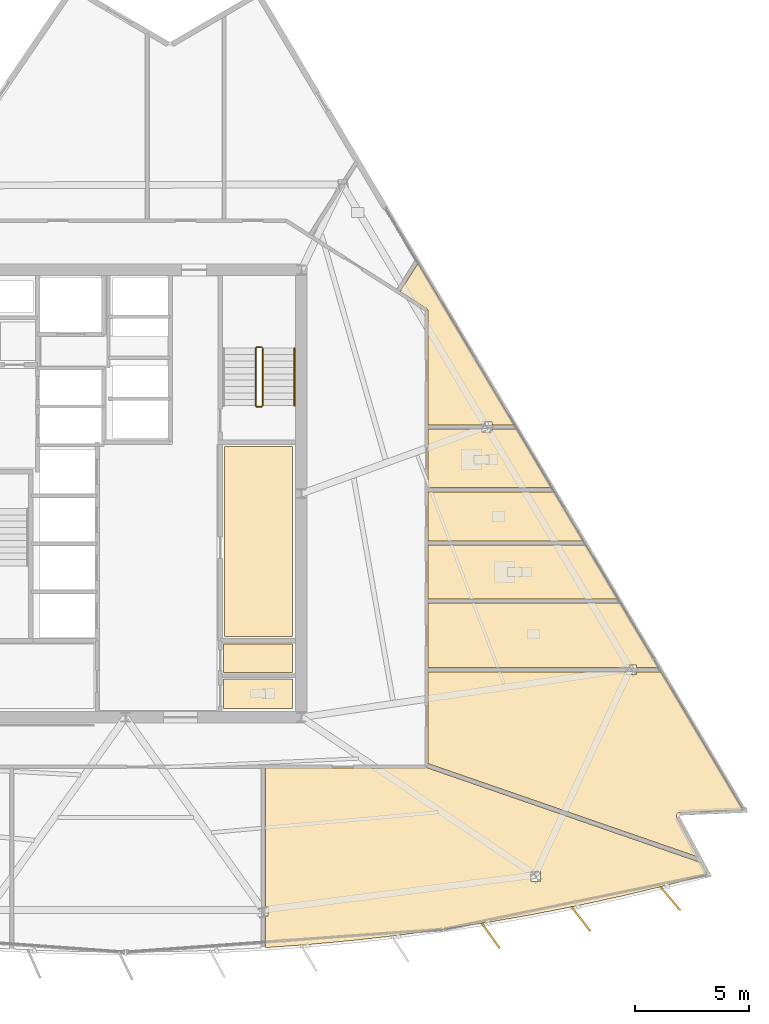
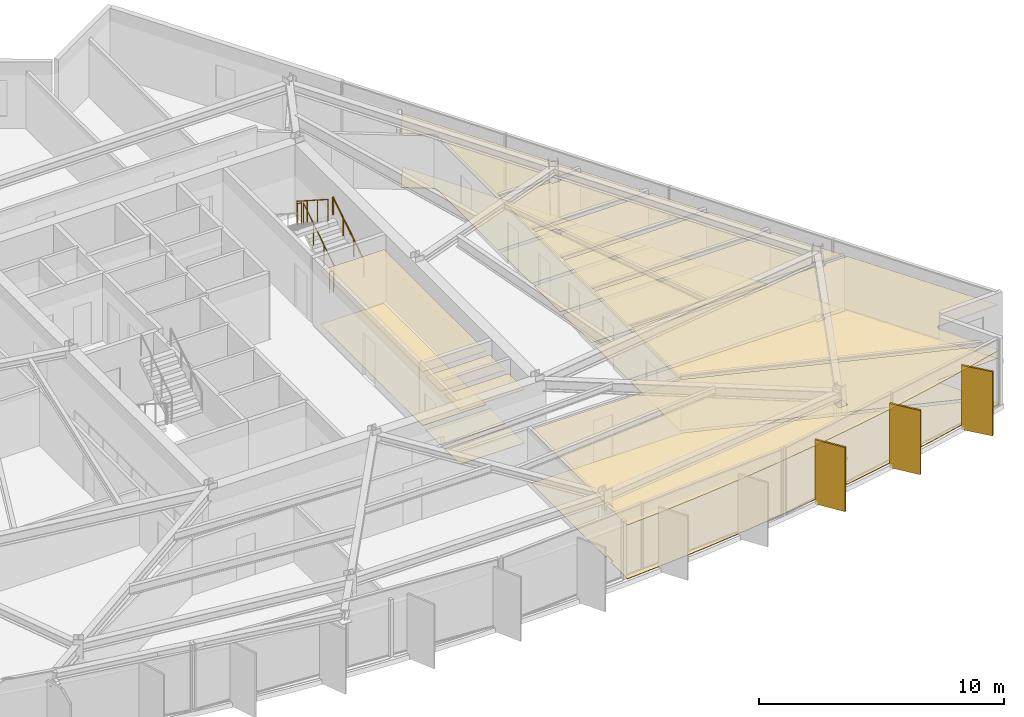
# One storey, part 13 of 15: 20 coverings, 5 railings, 3 shading devices.
"""IFC4 building model written with IfcOpenShell, lengths in metres."""

from ifc_helpers import new_model, si_unit, direction, frame, origin, origin_2d, place, context, subcontext, project, spatial, polyline, rectangle, circle, outline, extrude, material, layer, layer_set, type_object, element, save


model = new_model("IFC4")

# Units and contexts
model_context = context("Model", 3, precision=1e-05, world=origin(), true_north=direction((0.0, 1.0)))
body_context = subcontext(model_context, "Body", "Model", "MODEL_VIEW")
ifc_project = project(units=[si_unit("LENGTHUNIT", "METRE"), si_unit("AREAUNIT", "SQUARE_METRE"), si_unit("VOLUMEUNIT", "CUBIC_METRE"), si_unit("PLANEANGLEUNIT", "RADIAN"), si_unit("MASSUNIT", "GRAM", prefix="KILO")], contexts=[model_context])

# Site, building, storey
site_placement = place(None, origin())
site = spatial("IfcSite", under=ifc_project, at=site_placement, CompositionType="ELEMENT")
building_placement = place(site_placement, origin())
building = spatial("IfcBuilding", under=site, at=building_placement, Name="Savorim Split Tower", CompositionType="ELEMENT")
storey_placement = place(building_placement, frame((0.0, 0.0, 145.800048828125)))
storey = spatial("IfcBuildingStorey", under=building, at=storey_placement, Name="L38", CompositionType="ELEMENT", Elevation=145.800048828125)

# Coverings
ifc_material_1 = material(Name="Mineral Fibre Acoustic Ceiling")
ifc_layer_1 = layer(ifc_material_1, 0.02490234375)
ifc_layer_set_1 = layer_set([ifc_layer_1], Name="COV-CEIL-25")
covering_type_1 = type_object("IfcCoveringType", Name="COV-CEIL-25", PredefinedType="CEILING", material=ifc_layer_set_1)
covering_1_placement = place(storey_placement, frame((0.0, 0.0, 2.669921875)))
element("IfcCovering", 1, at=covering_1_placement, inside=storey, type_object=covering_type_1, Name="L38 Shared Pantry and Linen Room Acoustic Ceiling", PredefinedType="CEILING", context=body_context, shape_type="SweptSolid", body=[
    extrude(outline(polyline([(4.330078125, 2.469970703125), (4.330078125, -5.8701171875), (7.320068359375, -5.8701171875), (7.320068359375, 2.469970703125), (4.330078125, 2.469970703125)])), origin(), (0.0, 0.0, 1.0), 0.025146484375),
])
covering_2_placement = place(storey_placement, frame((0.0, 0.0, 2.669921875)))
element("IfcCovering", 2, at=covering_2_placement, inside=storey, type_object=covering_type_1, Name="L38 Accessible WC Acoustic Ceiling", PredefinedType="CEILING", context=body_context, shape_type="SweptSolid", body=[
    extrude(outline(polyline([(4.280029296875, -7.719970703125), (4.280029296875, -9.02001953125), (7.320068359375, -9.02001953125), (7.320068359375, -7.719970703125), (4.280029296875, -7.719970703125)])), origin(), (0.0, 0.0, 1.0), 0.025146484375),
])
covering_3_placement = place(storey_placement, frame((0.0, 0.0, 2.669921875)))
element("IfcCovering", 3, at=covering_3_placement, inside=storey, type_object=covering_type_1, Name="L38 Cleaning Store Acoustic Ceiling", PredefinedType="CEILING", context=body_context, shape_type="SweptSolid", body=[
    extrude(outline(polyline([(4.280029296875, -6.179931640625), (4.280029296875, -7.43994140625), (7.320068359375, -7.43994140625), (7.320068359375, -6.179931640625), (4.280029296875, -6.179931640625)])), origin(), (0.0, 0.0, 1.0), 0.025146484375),
])
covering_4_placement = place(storey_placement, frame((0.0, 0.0, 2.669921875)))
element("IfcCovering", 4, at=covering_4_placement, inside=storey, type_object=covering_type_1, Name="L38 Co-Working Commons Acoustic Ceiling", PredefinedType="CEILING", context=body_context, shape_type="SweptSolid", body=[
    extrude(outline(polyline([(21.770263671875, -17.220947265625), (23.711181640625, -16.755615234375), (25.495849609375, -16.288818359375), (25.2158203125, -15.76708984375), (13.172119140625, -11.599609375), (13.166015625, -11.603515625), (13.153564453125, -11.609375), (13.140625, -11.614013671875), (13.127197265625, -11.6171875), (13.11376953125, -11.619384765625), (13.10009765625, -11.6201171875), (6.11767578125, -11.6201171875), (6.11767578125, -17.688232421875), (6.234619140625, -17.688232421875), (6.234619140625, -18.115234375), (6.11767578125, -18.115234375), (6.11767578125, -19.44482421875), (6.11767578125, -19.48828125), (7.974853515625, -19.35498046875), (9.962158203125, -19.17138671875), (11.945556640625, -18.947265625), (13.923828125, -18.6826171875), (15.89599609375, -18.37744140625), (17.86181640625, -18.031982421875), (19.8203125, -17.646484375), (21.770263671875, -17.220947265625)]), holes=[polyline([(18.181640625, -16.581298828125), (18.181640625, -16.154296875), (17.7578125, -16.154296875), (17.7578125, -16.581298828125), (18.181640625, -16.581298828125)])]), origin(), (0.0, 0.0, 1.0), 0.025146484375),
])
covering_5_placement = place(storey_placement, frame((0.0, 0.0, 2.669921875)))
element("IfcCovering", 5, at=covering_5_placement, inside=storey, type_object=covering_type_1, Name="L38 Maker Workshop Acoustic Ceiling", PredefinedType="CEILING", context=body_context, shape_type="SweptSolid", body=[
    extrude(outline(polyline([(24.2138671875, -13.5810546875), (24.22509765625, -13.5791015625), (24.236572265625, -13.577880859375), (27.058837890625, -13.457763671875), (23.442626953125, -7.376220703125), (23.442626953125, -7.409423828125), (22.36962890625, -7.409423828125), (22.36962890625, -7.52783203125), (21.945556640625, -7.52783203125), (21.945556640625, -7.409423828125), (13.239990234375, -7.409423828125), (13.239990234375, -11.422119140625), (25.08349609375, -15.520263671875), (24.135986328125, -13.75439453125), (24.131103515625, -13.744140625), (24.127197265625, -13.7333984375), (24.124267578125, -13.72216796875), (24.122314453125, -13.710693359375), (24.12158203125, -13.69921875), (24.1220703125, -13.6875), (24.123779296875, -13.67626953125), (24.126220703125, -13.664794921875), (24.1298828125, -13.654052734375), (24.134765625, -13.6435546875), (24.140380859375, -13.63330078125), (24.147216796875, -13.6240234375), (24.154541015625, -13.615234375), (24.162841796875, -13.607421875), (24.172119140625, -13.60009765625), (24.181640625, -13.593994140625), (24.19189453125, -13.588623046875), (24.20263671875, -13.584228515625), (24.2138671875, -13.5810546875)])), origin(), (0.0, 0.0, 1.0), 0.025146484375),
])
covering_6_placement = place(storey_placement, frame((0.0, 0.0, 2.669921875)))
element("IfcCovering", 6, at=covering_6_placement, inside=storey, type_object=covering_type_1, Name="L38 Shared Kitchen Acoustic Ceiling", PredefinedType="CEILING", context=body_context, shape_type="SweptSolid", body=[
    extrude(outline(polyline([(22.36962890625, -7.100830078125), (22.36962890625, -7.219482421875), (23.34765625, -7.219482421875), (23.349365234375, -7.219482421875), (21.6728515625, -4.39990234375), (13.239990234375, -4.39990234375), (13.239990234375, -7.219482421875), (21.945556640625, -7.219482421875), (21.945556640625, -7.100830078125), (22.36962890625, -7.100830078125)])), origin(), (0.0, 0.0, 1.0), 0.025146484375),
])
covering_7_placement = place(storey_placement, frame((0.0, 0.0, 2.669921875)))
element("IfcCovering", 7, at=covering_7_placement, inside=storey, type_object=covering_type_1, Name="L38 Shared Bathroom Acoustic Ceiling", PredefinedType="CEILING", context=body_context, shape_type="SweptSolid", body=[
    extrude(outline(polyline([(21.559814453125, -4.2099609375), (20.16162109375, -1.858642578125), (13.239990234375, -1.858642578125), (13.239990234375, -4.2099609375), (21.559814453125, -4.2099609375)])), origin(), (0.0, 0.0, 1.0), 0.025146484375),
])
covering_8_placement = place(storey_placement, frame((0.0, 0.0, 2.669921875)))
element("IfcCovering", 8, at=covering_8_placement, inside=storey, type_object=covering_type_1, Name="L38 Shared Kitchen Acoustic Ceiling", PredefinedType="CEILING", context=body_context, shape_type="SweptSolid", body=[
    extrude(outline(polyline([(20.048828125, -1.668701171875), (18.773681640625, 0.475830078125), (13.239990234375, 0.475830078125), (13.239990234375, -1.668701171875), (20.048828125, -1.668701171875)])), origin(), (0.0, 0.0, 1.0), 0.025146484375),
])
covering_9_placement = place(storey_placement, frame((0.0, 0.0, 2.669921875)))
element("IfcCovering", 9, at=covering_9_placement, inside=storey, type_object=covering_type_1, Name="L38 Shared Bathroom Acoustic Ceiling", PredefinedType="CEILING", context=body_context, shape_type="SweptSolid", body=[
    extrude(outline(polyline([(15.62255859375, 3.105712890625), (15.62255859375, 3.22412109375), (13.239990234375, 3.22412109375), (13.239990234375, 0.665771484375), (18.66064453125, 0.665771484375), (17.11962890625, 3.25732421875), (17.11962890625, 3.22412109375), (16.046630859375, 3.22412109375), (16.046630859375, 3.105712890625), (15.62255859375, 3.105712890625)])), origin(), (0.0, 0.0, 1.0), 0.025146484375),
])
covering_10_placement = place(storey_placement, frame((0.0, 0.0, 2.669921875)))
element("IfcCovering", 10, at=covering_10_placement, inside=storey, type_object=covering_type_1, Name="L38 Co-Living Bedroom Acoustic Ceiling", PredefinedType="CEILING", context=body_context, shape_type="SweptSolid", body=[
    extrude(outline(polyline([(16.046630859375, 3.53271484375), (16.046630859375, 3.414306640625), (17.024658203125, 3.414306640625), (17.0263671875, 3.414306640625), (12.81640625, 10.494384765625), (12.024658203125, 9.25), (13.175048828125, 8.51806640625), (13.1865234375, 8.510009765625), (13.197265625, 8.500732421875), (13.206787109375, 8.490478515625), (13.21533203125, 8.479248046875), (13.22265625, 8.46728515625), (13.22900390625, 8.45458984375), (13.233642578125, 8.44140625), (13.2373046875, 8.427978515625), (13.2392578125, 8.4140625), (13.239990234375, 8.39990234375), (13.239990234375, 3.414306640625), (15.62255859375, 3.414306640625), (15.62255859375, 3.53271484375), (16.046630859375, 3.53271484375)])), origin(), (0.0, 0.0, 1.0), 0.025146484375),
])
ifc_material_2 = material(Name="Porcelain Stoneware Flooring", Category="masonry")
ifc_layer_2 = layer(ifc_material_2, 0.02001953125)
ifc_layer_set_2 = layer_set([ifc_layer_2], Name="COV-FLOR-20")
covering_type_2 = type_object("IfcCoveringType", Name="COV-FLOR-20", PredefinedType="FLOORING", material=ifc_layer_set_2)
covering_11_placement = place(storey_placement, origin())
element("IfcCovering", 11, at=covering_11_placement, inside=storey, type_object=covering_type_2, Name="L38 Shared Pantry and Linen Room Porcelain Flooring", PredefinedType="FLOORING", context=body_context, shape_type="SweptSolid", body=[
    extrude(outline(polyline([(4.330078125, 2.469970703125), (4.330078125, -5.8701171875), (7.320068359375, -5.8701171875), (7.320068359375, 2.469970703125), (4.330078125, 2.469970703125)])), origin(), (0.0, 0.0, 1.0), 0.02001953125),
])
covering_12_placement = place(storey_placement, origin())
element("IfcCovering", 12, at=covering_12_placement, inside=storey, type_object=covering_type_2, Name="L38 Accessible WC Porcelain Flooring", PredefinedType="FLOORING", context=body_context, shape_type="SweptSolid", body=[
    extrude(outline(polyline([(4.280029296875, -7.719970703125), (4.280029296875, -9.02001953125), (7.320068359375, -9.02001953125), (7.320068359375, -7.719970703125), (4.280029296875, -7.719970703125)])), origin(), (0.0, 0.0, 1.0), 0.02001953125),
])
covering_13_placement = place(storey_placement, origin())
element("IfcCovering", 13, at=covering_13_placement, inside=storey, type_object=covering_type_2, Name="L38 Cleaning Store Porcelain Flooring", PredefinedType="FLOORING", context=body_context, shape_type="SweptSolid", body=[
    extrude(outline(polyline([(4.280029296875, -6.179931640625), (4.280029296875, -7.43994140625), (7.320068359375, -7.43994140625), (7.320068359375, -6.179931640625), (4.280029296875, -6.179931640625)])), origin(), (0.0, 0.0, 1.0), 0.02001953125),
])
covering_14_placement = place(storey_placement, origin())
element("IfcCovering", 14, at=covering_14_placement, inside=storey, type_object=covering_type_2, Name="L38 Co-Working Commons Porcelain Flooring", PredefinedType="FLOORING", context=body_context, shape_type="SweptSolid", body=[
    extrude(outline(polyline([(21.770263671875, -17.220947265625), (23.711181640625, -16.755615234375), (25.495849609375, -16.288818359375), (25.2158203125, -15.76708984375), (13.172119140625, -11.599609375), (13.166015625, -11.603515625), (13.153564453125, -11.609375), (13.140625, -11.614013671875), (13.127197265625, -11.6171875), (13.11376953125, -11.619384765625), (13.10009765625, -11.6201171875), (6.11767578125, -11.6201171875), (6.11767578125, -17.688232421875), (6.234619140625, -17.688232421875), (6.234619140625, -18.115234375), (6.11767578125, -18.115234375), (6.11767578125, -19.44482421875), (6.11767578125, -19.48828125), (7.974853515625, -19.35498046875), (9.962158203125, -19.17138671875), (11.945556640625, -18.947265625), (13.923828125, -18.6826171875), (15.89599609375, -18.37744140625), (17.86181640625, -18.031982421875), (19.8203125, -17.646484375), (21.770263671875, -17.220947265625)]), holes=[polyline([(18.181640625, -16.581298828125), (18.181640625, -16.154296875), (17.7578125, -16.154296875), (17.7578125, -16.581298828125), (18.181640625, -16.581298828125)])]), origin(), (0.0, 0.0, 1.0), 0.02001953125),
])
covering_15_placement = place(storey_placement, origin())
element("IfcCovering", 15, at=covering_15_placement, inside=storey, type_object=covering_type_2, Name="L38 Maker Workshop Porcelain Flooring", PredefinedType="FLOORING", context=body_context, shape_type="SweptSolid", body=[
    extrude(outline(polyline([(24.2138671875, -13.5810546875), (24.22509765625, -13.5791015625), (24.236572265625, -13.577880859375), (27.058837890625, -13.457763671875), (23.442626953125, -7.376220703125), (23.442626953125, -7.409423828125), (22.36962890625, -7.409423828125), (22.36962890625, -7.52783203125), (21.945556640625, -7.52783203125), (21.945556640625, -7.409423828125), (13.239990234375, -7.409423828125), (13.239990234375, -11.422119140625), (25.08349609375, -15.520263671875), (24.135986328125, -13.75439453125), (24.131103515625, -13.744140625), (24.127197265625, -13.7333984375), (24.124267578125, -13.72216796875), (24.122314453125, -13.710693359375), (24.12158203125, -13.69921875), (24.1220703125, -13.6875), (24.123779296875, -13.67626953125), (24.126220703125, -13.664794921875), (24.1298828125, -13.654052734375), (24.134765625, -13.6435546875), (24.140380859375, -13.63330078125), (24.147216796875, -13.6240234375), (24.154541015625, -13.615234375), (24.162841796875, -13.607421875), (24.172119140625, -13.60009765625), (24.181640625, -13.593994140625), (24.19189453125, -13.588623046875), (24.20263671875, -13.584228515625), (24.2138671875, -13.5810546875)])), origin(), (0.0, 0.0, 1.0), 0.02001953125),
])
covering_16_placement = place(storey_placement, origin())
element("IfcCovering", 16, at=covering_16_placement, inside=storey, type_object=covering_type_2, Name="L38 Shared Kitchen Porcelain Flooring", PredefinedType="FLOORING", context=body_context, shape_type="SweptSolid", body=[
    extrude(outline(polyline([(22.36962890625, -7.100830078125), (22.36962890625, -7.219482421875), (23.34765625, -7.219482421875), (23.349365234375, -7.219482421875), (21.6728515625, -4.39990234375), (13.239990234375, -4.39990234375), (13.239990234375, -7.219482421875), (21.945556640625, -7.219482421875), (21.945556640625, -7.100830078125), (22.36962890625, -7.100830078125)])), origin(), (0.0, 0.0, 1.0), 0.02001953125),
])
covering_17_placement = place(storey_placement, origin())
element("IfcCovering", 17, at=covering_17_placement, inside=storey, type_object=covering_type_2, Name="L38 Shared Bathroom Porcelain Flooring", PredefinedType="FLOORING", context=body_context, shape_type="SweptSolid", body=[
    extrude(outline(polyline([(21.559814453125, -4.2099609375), (20.16162109375, -1.858642578125), (13.239990234375, -1.858642578125), (13.239990234375, -4.2099609375), (21.559814453125, -4.2099609375)])), origin(), (0.0, 0.0, 1.0), 0.02001953125),
])
covering_18_placement = place(storey_placement, origin())
element("IfcCovering", 18, at=covering_18_placement, inside=storey, type_object=covering_type_2, Name="L38 Shared Kitchen Porcelain Flooring", PredefinedType="FLOORING", context=body_context, shape_type="SweptSolid", body=[
    extrude(outline(polyline([(20.048828125, -1.668701171875), (18.773681640625, 0.475830078125), (13.239990234375, 0.475830078125), (13.239990234375, -1.668701171875), (20.048828125, -1.668701171875)])), origin(), (0.0, 0.0, 1.0), 0.02001953125),
])
covering_19_placement = place(storey_placement, origin())
element("IfcCovering", 19, at=covering_19_placement, inside=storey, type_object=covering_type_2, Name="L38 Shared Bathroom Porcelain Flooring", PredefinedType="FLOORING", context=body_context, shape_type="SweptSolid", body=[
    extrude(outline(polyline([(15.62255859375, 3.105712890625), (15.62255859375, 3.22412109375), (13.239990234375, 3.22412109375), (13.239990234375, 0.665771484375), (18.66064453125, 0.665771484375), (17.11962890625, 3.25732421875), (17.11962890625, 3.22412109375), (16.046630859375, 3.22412109375), (16.046630859375, 3.105712890625), (15.62255859375, 3.105712890625)])), origin(), (0.0, 0.0, 1.0), 0.02001953125),
])
covering_20_placement = place(storey_placement, origin())
element("IfcCovering", 20, at=covering_20_placement, inside=storey, type_object=covering_type_2, Name="L38 Co-Living Bedroom Porcelain Flooring", PredefinedType="FLOORING", context=body_context, shape_type="SweptSolid", body=[
    extrude(outline(polyline([(16.046630859375, 3.53271484375), (16.046630859375, 3.414306640625), (17.024658203125, 3.414306640625), (17.0263671875, 3.414306640625), (12.81640625, 10.494384765625), (12.024658203125, 9.25), (13.175048828125, 8.51806640625), (13.1865234375, 8.510009765625), (13.197265625, 8.500732421875), (13.206787109375, 8.490478515625), (13.21533203125, 8.479248046875), (13.22265625, 8.46728515625), (13.22900390625, 8.45458984375), (13.233642578125, 8.44140625), (13.2373046875, 8.427978515625), (13.2392578125, 8.4140625), (13.239990234375, 8.39990234375), (13.239990234375, 3.414306640625), (15.62255859375, 3.414306640625), (15.62255859375, 3.53271484375), (16.046630859375, 3.53271484375)])), origin(), (0.0, 0.0, 1.0), 0.02001953125),
])

# Railings
ifc_material_3 = material(Name="Galvanised Painted Steel Balustrade", Category="steel")
railing_type_1 = type_object("IfcRailingType", Name="RLG-HR-900", PredefinedType="HANDRAIL", material=ifc_material_3)
railing_1_placement = place(storey_placement, frame((7.39990234375, 4.25, 0.179931640625)))
element("IfcRailing", 21, at=railing_1_placement, inside=storey, type_object=railing_type_1, Name="L38 ST-2 stair handrail 1", PredefinedType="HANDRAIL", context=body_context, shape_type="SweptSolid", body=[
    extrude(circle(Radius=0.02392578125, at=origin_2d()), frame((0.0, 0.0, 0.8759765625), z_axis=(0.0, 0.841162588446, 0.540782303519), x_axis=(-1.0, 0.0, 0.0)), (0.0, 0.0, 1.0), 2.995849609375),
    extrude(circle(Radius=0.02099609375, at=origin_2d()), origin(), (0.0, 0.0, 1.0), 0.851806640625),
    extrude(circle(Radius=0.02099609375, at=origin_2d()), frame((0.0, 0.840087890625, 0.5400390625)), (0.0, 0.0, 1.0), 0.851806640625),
    extrude(circle(Radius=0.02099609375, at=origin_2d()), frame((0.0, 1.679931640625, 1.080078125)), (0.0, 0.0, 1.0), 0.851806640625),
    extrude(circle(Radius=0.02099609375, at=origin_2d()), frame((0.0, 2.52001953125, 1.6201171875)), (0.0, 0.0, 1.0), 0.851806640625),
])
railing_type_2 = type_object("IfcRailingType", Name="RLG-STG-1100", PredefinedType="BALUSTRADE", material=ifc_material_3)
railing_2_placement = place(storey_placement, frame((6.0, 4.25, 0.179931640625)))
element("IfcRailing", 22, at=railing_2_placement, inside=storey, type_object=railing_type_2, Name="L38 ST-2 stair guard 1", PredefinedType="BALUSTRADE", context=body_context, shape_type="SweptSolid", body=[
    extrude(circle(Radius=0.02392578125, at=origin_2d()), frame((0.0, 0.0, 1.076171875), z_axis=(0.0, 0.841162588446, 0.540782303519), x_axis=(-1.0, 0.0, 0.0)), (0.0, 0.0, 1.0), 2.995849609375),
    extrude(circle(Radius=0.02099609375, at=origin_2d()), origin(), (0.0, 0.0, 1.0), 1.052001953125),
    extrude(circle(Radius=0.02099609375, at=origin_2d()), frame((0.0, 0.840087890625, 0.5400390625)), (0.0, 0.0, 1.0), 1.052001953125),
    extrude(circle(Radius=0.02099609375, at=origin_2d()), frame((0.0, 1.679931640625, 1.080078125)), (0.0, 0.0, 1.0), 1.052001953125),
    extrude(circle(Radius=0.02099609375, at=origin_2d()), frame((0.0, 2.52001953125, 1.6201171875)), (0.0, 0.0, 1.0), 1.052001953125),
])
railing_3_placement = place(storey_placement, frame((5.949951171875, 6.820068359375, 1.800048828125)))
element("IfcRailing", 23, at=railing_3_placement, inside=storey, type_object=railing_type_2, Name="L38 ST-2 stair guard 2", PredefinedType="BALUSTRADE", context=body_context, shape_type="SweptSolid", body=[
    extrude(circle(Radius=0.02392578125, at=origin_2d()), frame((0.0, 0.0, 1.076171875), z_axis=(-1.0, 0.0, 0.0), x_axis=(0.0, -1.0, 0.0)), (0.0, 0.0, 1.0), 0.199951171875),
    extrude(circle(Radius=0.02099609375, at=origin_2d()), origin(), (0.0, 0.0, 1.0), 1.052001953125),
    extrude(circle(Radius=0.02099609375, at=origin_2d()), frame((-0.199951171875, 0.0, 0.0)), (0.0, 0.0, 1.0), 1.052001953125),
])
railing_4_placement = place(storey_placement, frame((5.699951171875, 6.77001953125, 1.97998046875)))
element("IfcRailing", 24, at=railing_4_placement, inside=storey, type_object=railing_type_2, Name="L38 ST-2 stair guard 3", PredefinedType="BALUSTRADE", context=body_context, shape_type="SweptSolid", body=[
    extrude(circle(Radius=0.02392578125, at=origin_2d()), frame((0.0, 0.0, 1.076171875), z_axis=(0.0, -0.841199657755, 0.540724639528), x_axis=(1.0, 0.0, 0.0)), (0.0, 0.0, 1.0), 2.995849609375),
    extrude(circle(Radius=0.02099609375, at=origin_2d()), origin(), (0.0, 0.0, 1.0), 1.052001953125),
    extrude(circle(Radius=0.02099609375, at=origin_2d()), frame((0.0, -0.840087890625, 0.5400390625)), (0.0, 0.0, 1.0), 1.052001953125),
    extrude(circle(Radius=0.02099609375, at=origin_2d()), frame((0.0, -1.679931640625, 1.079833984375)), (0.0, 0.0, 1.0), 1.052001953125),
    extrude(circle(Radius=0.02099609375, at=origin_2d()), frame((0.0, -2.52001953125, 1.619873046875)), (0.0, 0.0, 1.0), 1.052001953125),
])
railing_5_placement = place(storey_placement, frame((5.949951171875, 4.199951171875, 0.0)))
element("IfcRailing", 25, at=railing_5_placement, inside=storey, type_object=railing_type_2, Name="L38 ST-2 stair guard 4", PredefinedType="BALUSTRADE", context=body_context, shape_type="SweptSolid", body=[
    extrude(circle(Radius=0.02392578125, at=origin_2d()), frame((0.0, 0.0, 1.076171875), z_axis=(-1.0, 0.0, 0.0), x_axis=(0.0, -1.0, 0.0)), (0.0, 0.0, 1.0), 0.199951171875),
    extrude(circle(Radius=0.02099609375, at=origin_2d()), origin(), (0.0, 0.0, 1.0), 1.052001953125),
    extrude(circle(Radius=0.02099609375, at=origin_2d()), frame((-0.199951171875, 0.0, 0.0)), (0.0, 0.0, 1.0), 1.052001953125),
])

# Shading devices
ifc_material_4 = material(Name="Terracotta Ceramic-Coated Aluminium Fin", Category="masonry")
shading_device_type = type_object("IfcShadingDeviceType", Name="SHD-FIN-1360", PredefinedType="USERDEFINED", material=ifc_material_4)
for number, where, z_axis, x_axis, name in (
    (26, (15.993408203125, -18.965576171875, -0.2001953125), (0.0, 0.0, 1.0), (0.578993757737, -0.815331974414, 0.0), "L38 Sawtooth Shading Fin 11"),
    (27, (19.94140625, -18.22998046875, -0.2001953125), (0.0, 0.0, 1.0), (0.611868076908, -0.790959832394, 0.0), "L38 Sawtooth Shading Fin 12"),
    (28, (23.85595703125, -17.333740234375, -0.2001953125), (0.0, 0.0, 1.0), (0.643719022682, -0.765261928909, 0.0), "L38 Sawtooth Shading Fin 13"),
):
    element("IfcShadingDevice", number, at=place(storey_placement, frame(where, z_axis=z_axis, x_axis=x_axis)), inside=storey, type_object=shading_device_type, Name=name, ObjectType="FIN", PredefinedType="USERDEFINED", context=body_context, shape_type="SweptSolid", body=[
        extrude(rectangle(XDim=1.360107421875, YDim=0.080078125, at=origin_2d()), origin(), (0.0, 0.0, 1.0), 3.199951171875),
    ])

save(model, "model.ifc")
